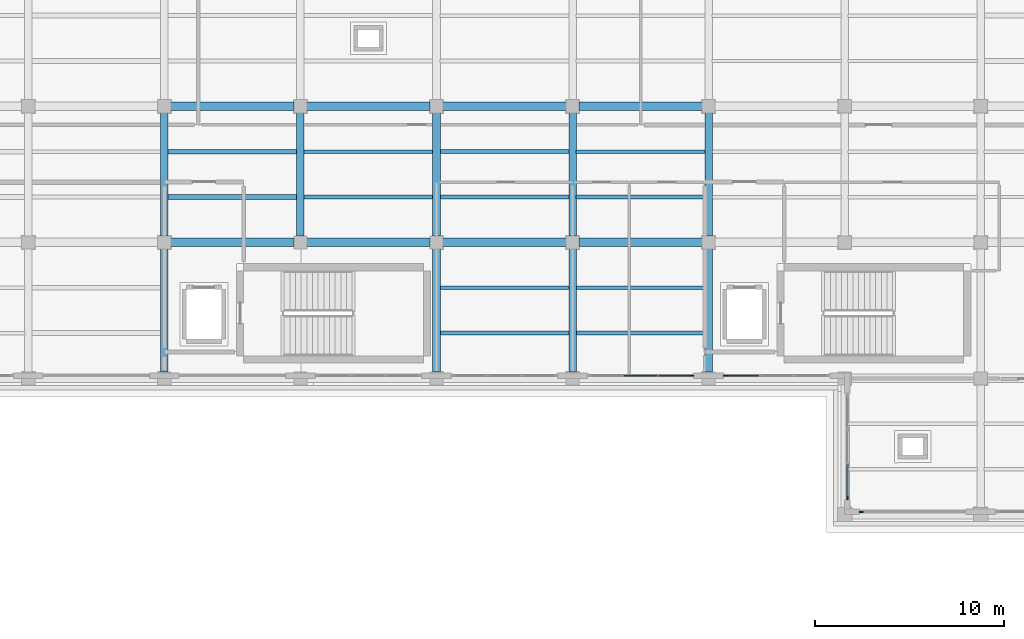
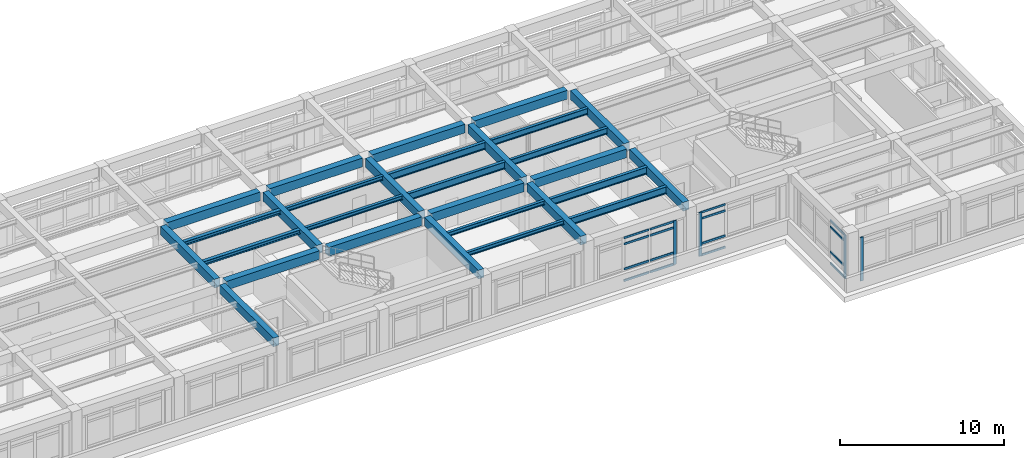
# One storey, part 25 of 64: 29 beams, 20 members, 4 elements without a shape of their own.
"""IFC4 building model written with IfcOpenShell, lengths in metres."""

from ifc_helpers import new_model, si_unit, direction, frame, origin, origin_2d, place, context, subcontext, project, spatial, rectangle, i_section, extrude, material, layer, layer_set, material_profile, profile_set, type_object, element, aggregate, save


model = new_model("IFC4")

# Units and contexts
model_context = context("Model", 3, precision=1e-05, world=origin(), true_north=direction((0.0, 1.0)))
body_context = subcontext(model_context, "Body", "Model", "MODEL_VIEW")
ifc_project = project(units=[si_unit("LENGTHUNIT", "METRE"), si_unit("AREAUNIT", "SQUARE_METRE"), si_unit("VOLUMEUNIT", "CUBIC_METRE"), si_unit("PLANEANGLEUNIT", "RADIAN"), si_unit("MASSUNIT", "GRAM", prefix="KILO")], contexts=[model_context])

# Site, building, storey
site_placement = place(None, origin())
site = spatial("IfcSite", under=ifc_project, at=site_placement, CompositionType="ELEMENT")
building_placement = place(site_placement, origin())
building = spatial("IfcBuilding", under=site, at=building_placement, Name="Solenvale Faculty of Natural Sciences", CompositionType="ELEMENT")
storey_placement = place(building_placement, frame((0.0, 0.0, 18.0)))
storey = spatial("IfcBuildingStorey", under=building, at=storey_placement, Name="L04", CompositionType="ELEMENT", Elevation=18.0)

# Beams
ifc_material_1 = material(Name="Concrete 40 MPa", Category="concrete")
ifc_material_profile_1 = material_profile(ifc_material_1, rectangle(XDim=0.39990234375, YDim=0.64990234375, at=origin_2d()), Name="RC-BM-400x650")
ifc_profile_set_1 = profile_set([ifc_material_profile_1], Name="Concrete 40 MPa")
beam_type_1 = type_object("IfcBeamType", Name="BM-RC-400x650", PredefinedType="BEAM", material=ifc_profile_set_1)
for number, where, z_axis, x_axis, name in (
    (1, (100.800048828125, 93.929931640625, 3.89501953125), (0.0, 1.0, 0.0), (-1.0, 0.0, 0.0), "L04 Y-Girder X100.8 (93.6..100.8)"),
    (2, (100.800048828125, 101.1298828125, 3.89501953125), (0.0, 1.0, 0.0), (-1.0, 0.0, 0.0), "L04 Y-Girder X100.8 (100.8..108.0)"),
    (3, (108.0, 101.1298828125, 3.89501953125), (0.0, 1.0, 0.0), (-1.0, 0.0, 0.0), "L04 Y-Girder X108.0 (100.8..108.0)"),
    (4, (115.199951171875, 93.929931640625, 3.89501953125), (0.0, 1.0, 0.0), (-1.0, 0.0, 0.0), "L04 Y-Girder X115.2 (93.6..100.8)"),
    (5, (115.199951171875, 101.1298828125, 3.89501953125), (0.0, 1.0, 0.0), (-1.0, 0.0, 0.0), "L04 Y-Girder X115.2 (100.8..108.0)"),
    (6, (122.39990234375, 93.929931640625, 3.89501953125), (0.0, 1.0, 0.0), (-1.0, 0.0, 0.0), "L04 Y-Girder X122.4 (93.6..100.8)"),
    (7, (122.39990234375, 101.1298828125, 3.89501953125), (0.0, 1.0, 0.0), (-1.0, 0.0, 0.0), "L04 Y-Girder X122.4 (100.8..108.0)"),
    (8, (129.60009765625, 93.929931640625, 3.89501953125), (0.0, 1.0, 0.0), (-1.0, 0.0, 0.0), "L04 Y-Girder X129.6 (93.6..100.8)"),
    (9, (129.60009765625, 101.1298828125, 3.89501953125), (0.0, 1.0, 0.0), (-1.0, 0.0, 0.0), "L04 Y-Girder X129.6 (100.8..108.0)"),
):
    element("IfcBeam", number, at=place(storey_placement, frame(where, z_axis=z_axis, x_axis=x_axis)), inside=storey, type_object=beam_type_1, Name=name, PredefinedType="BEAM", context=body_context, shape_type="SweptSolid", body=[
        extrude(rectangle(XDim=0.39990234375, YDim=0.64990234375, at=origin_2d()), origin(), (0.0, 0.0, 1.0), 6.5400390625),
    ])
ifc_material_profile_2 = material_profile(ifc_material_1, rectangle(XDim=0.449951171875, YDim=0.64990234375, at=origin_2d()), Name="RC-BM-450x650")
ifc_profile_set_2 = profile_set([ifc_material_profile_2], Name="Concrete 40 MPa")
beam_type_2 = type_object("IfcBeamType", Name="BM-RC-450x650", PredefinedType="BEAM", material=ifc_profile_set_2)
for number, where, z_axis, x_axis, name in (
    (10, (101.1298828125, 100.800048828125, 3.89501953125), (1.0, 0.0, 0.0), (0.0, 1.0, 0.0), "L04 X-Girder Y100.8 (100.8..108.0)"),
    (11, (108.330078125, 100.800048828125, 3.89501953125), (1.0, 0.0, 0.0), (0.0, 1.0, 0.0), "L04 X-Girder Y100.8 (108.0..115.2)"),
    (12, (115.530029296875, 100.800048828125, 3.89501953125), (1.0, 0.0, 0.0), (0.0, 1.0, 0.0), "L04 X-Girder Y100.8 (115.2..122.4)"),
    (13, (122.72998046875, 100.800048828125, 3.89501953125), (1.0, 0.0, 0.0), (0.0, 1.0, 0.0), "L04 X-Girder Y100.8 (122.4..129.6)"),
    (14, (101.1298828125, 108.0, 3.89501953125), (1.0, 0.0, 0.0), (0.0, 1.0, 0.0), "L04 X-Girder Y108.0 (100.8..108.0)"),
    (15, (108.330078125, 108.0, 3.89501953125), (1.0, 0.0, 0.0), (0.0, 1.0, 0.0), "L04 X-Girder Y108.0 (108.0..115.2)"),
    (16, (115.530029296875, 108.0, 3.89501953125), (1.0, 0.0, 0.0), (0.0, 1.0, 0.0), "L04 X-Girder Y108.0 (115.2..122.4)"),
    (17, (122.72998046875, 108.0, 3.89501953125), (1.0, 0.0, 0.0), (0.0, 1.0, 0.0), "L04 X-Girder Y108.0 (122.4..129.6)"),
):
    element("IfcBeam", number, at=place(storey_placement, frame(where, z_axis=z_axis, x_axis=x_axis)), inside=storey, type_object=beam_type_2, Name=name, PredefinedType="BEAM", context=body_context, shape_type="SweptSolid", body=[
        extrude(rectangle(XDim=0.449951171875, YDim=0.64990234375, at=origin_2d()), origin(), (0.0, 0.0, 1.0), 6.5400390625),
    ])
ifc_material_2 = material(Name="Steel S355", Category="steel")
ifc_material_profile_3 = material_profile(ifc_material_2, i_section(OverallWidth=0.202880859375, OverallDepth=0.302978515625, WebThickness=0.007568359375, FlangeThickness=0.01318359375, FilletRadius=0.014892578125, at=origin_2d()), Name="W310x60")
ifc_profile_set_3 = profile_set([ifc_material_profile_3], Name="Steel S355")
beam_type_3 = type_object("IfcBeamType", Name="BM-STL-W310x60", PredefinedType="JOIST", material=ifc_profile_set_3)
for number, where, z_axis, x_axis, name in (
    (18, (108.179931640625, 103.199951171875, 4.068603515625), (1.0, 0.0, 0.0), (0.0, 1.0, 0.0), "L04 Composite Floor Joist (16,15).1"),
    (19, (108.179931640625, 105.60009765625, 4.068603515625), (1.0, 0.0, 0.0), (0.0, 1.0, 0.0), "L04 Composite Floor Joist (16,15).2"),
    (20, (115.3798828125, 96.0, 4.068603515625), (1.0, 0.0, 0.0), (0.0, 1.0, 0.0), "L04 Composite Floor Joist (17,14).1"),
    (21, (115.3798828125, 98.39990234375, 4.068603515625), (1.0, 0.0, 0.0), (0.0, 1.0, 0.0), "L04 Composite Floor Joist (17,14).2"),
):
    element("IfcBeam", number, at=place(storey_placement, frame(where, z_axis=z_axis, x_axis=x_axis)), inside=storey, type_object=beam_type_3, Name=name, PredefinedType="JOIST", context=body_context, shape_type="SweptSolid", body=[
        extrude(i_section(OverallWidth=0.202880859375, OverallDepth=0.302978515625, WebThickness=0.007568359375, FlangeThickness=0.01318359375, FilletRadius=0.014892578125, at=origin_2d()), origin(), (0.0, 0.0, 1.0), 6.840087890625),
    ])
ifc_material_profile_4 = material_profile(ifc_material_2, i_section(OverallWidth=0.25390625, OverallDepth=0.305908203125, WebThickness=0.0087890625, FlangeThickness=0.0146484375, FilletRadius=0.014892578125, at=origin_2d()), Name="W310x79")
ifc_profile_set_4 = profile_set([ifc_material_profile_4], Name="Steel S355")
beam_type_4 = type_object("IfcBeamType", Name="BM-STL-W310x79", PredefinedType="JOIST", material=ifc_profile_set_4)
for number, where, z_axis, x_axis, name in (
    (22, (100.97998046875, 103.199951171875, 4.06689453125), (1.0, 0.0, 0.0), (0.0, 1.0, 0.0), "L04 Composite Floor Joist (15,15).1"),
    (23, (100.97998046875, 105.60009765625, 4.06689453125), (1.0, 0.0, 0.0), (0.0, 1.0, 0.0), "L04 Composite Floor Joist (15,15).2"),
):
    element("IfcBeam", number, at=place(storey_placement, frame(where, z_axis=z_axis, x_axis=x_axis)), inside=storey, type_object=beam_type_4, Name=name, PredefinedType="JOIST", context=body_context, shape_type="SweptSolid", body=[
        extrude(i_section(OverallWidth=0.25390625, OverallDepth=0.305908203125, WebThickness=0.0087890625, FlangeThickness=0.0146484375, FilletRadius=0.014892578125, at=origin_2d()), origin(), (0.0, 0.0, 1.0), 6.840087890625),
    ])
ifc_material_profile_5 = material_profile(ifc_material_2, i_section(OverallWidth=0.194091796875, OverallDepth=0.468994140625, WebThickness=0.0126953125, FlangeThickness=0.0205078125, FilletRadius=0.01806640625, at=origin_2d()), Name="W460x106")
ifc_profile_set_5 = profile_set([ifc_material_profile_5], Name="Steel S355")
beam_type_5 = type_object("IfcBeamType", Name="BM-STL-W460x106", PredefinedType="JOIST", material=ifc_profile_set_5)
for number, where, z_axis, x_axis, name in (
    (24, (122.580078125, 103.199951171875, 3.985595703125), (1.0, 0.0, 0.0), (0.0, 1.0, 0.0), "L04 Composite Floor Joist (18,15).1"),
    (25, (122.580078125, 105.60009765625, 3.985595703125), (1.0, 0.0, 0.0), (0.0, 1.0, 0.0), "L04 Composite Floor Joist (18,15).2"),
):
    element("IfcBeam", number, at=place(storey_placement, frame(where, z_axis=z_axis, x_axis=x_axis)), inside=storey, type_object=beam_type_5, Name=name, PredefinedType="JOIST", context=body_context, shape_type="SweptSolid", body=[
        extrude(i_section(OverallWidth=0.194091796875, OverallDepth=0.468994140625, WebThickness=0.0126953125, FlangeThickness=0.0205078125, FilletRadius=0.01806640625, at=origin_2d()), origin(), (0.0, 0.0, 1.0), 6.83984375),
    ])
ifc_material_profile_6 = material_profile(ifc_material_2, i_section(OverallWidth=0.208984375, OverallDepth=0.532958984375, WebThickness=0.01025390625, FlangeThickness=0.015625, FilletRadius=0.01904296875, at=origin_2d()), Name="W530x92")
ifc_profile_set_6 = profile_set([ifc_material_profile_6], Name="Steel S355")
beam_type_6 = type_object("IfcBeamType", Name="BM-STL-W530x92", PredefinedType="JOIST", material=ifc_profile_set_6)
for number, where, z_axis, x_axis, name in (
    (26, (115.3798828125, 103.199951171875, 3.95361328125), (1.0, 0.0, 0.0), (0.0, 1.0, 0.0), "L04 Composite Floor Joist (17,15).1"),
    (27, (115.3798828125, 105.60009765625, 3.95361328125), (1.0, 0.0, 0.0), (0.0, 1.0, 0.0), "L04 Composite Floor Joist (17,15).2"),
):
    element("IfcBeam", number, at=place(storey_placement, frame(where, z_axis=z_axis, x_axis=x_axis)), inside=storey, type_object=beam_type_6, Name=name, PredefinedType="JOIST", context=body_context, shape_type="SweptSolid", body=[
        extrude(i_section(OverallWidth=0.208984375, OverallDepth=0.532958984375, WebThickness=0.01025390625, FlangeThickness=0.015625, FilletRadius=0.01904296875, at=origin_2d()), origin(), (0.0, 0.0, 1.0), 6.840087890625),
    ])
for number, where, z_axis, x_axis, name in (
    (28, (122.580078125, 96.0, 3.95361328125), (1.0, 0.0, 0.0), (0.0, 1.0, 0.0), "L04 Composite Floor Joist (18,14).1"),
    (29, (122.580078125, 98.39990234375, 3.95361328125), (1.0, 0.0, 0.0), (0.0, 1.0, 0.0), "L04 Composite Floor Joist (18,14).2"),
):
    element("IfcBeam", number, at=place(storey_placement, frame(where, z_axis=z_axis, x_axis=x_axis)), inside=storey, type_object=beam_type_6, Name=name, PredefinedType="JOIST", context=body_context, shape_type="SweptSolid", body=[
        extrude(i_section(OverallWidth=0.208984375, OverallDepth=0.532958984375, WebThickness=0.01025390625, FlangeThickness=0.015625, FilletRadius=0.01904296875, at=origin_2d()), origin(), (0.0, 0.0, 1.0), 6.83984375),
    ])

# Curtain wall, member
ifc_material_3 = material(Name="Anodised bronze aluminium", Category="aluminium")
ifc_layer = layer(ifc_material_3, 0.179931640625)
ifc_layer_set = layer_set([ifc_layer], Name="Anodised bronze aluminium")
curtain_wall_type = type_object("IfcCurtainWallType", Name="CW-TWR-MOD", PredefinedType="USERDEFINED", material=ifc_layer_set)
curtain_wall_1_placement = place(storey_placement, origin())
curtain_wall_1 = element("IfcCurtainWall", 30, at=curtain_wall_1_placement, inside=storey, type_object=curtain_wall_type, Name="L04 Curtain Wall CW-L04-P3-E1-B1", ObjectType="UNITISED CURTAIN WALL", PredefinedType="USERDEFINED")
ifc_material_profile_7 = material_profile(ifc_material_3, rectangle(XDim=0.074951171875, YDim=0.2099609375, at=origin_2d()), Name="ALU-MUL-75x210")
ifc_profile_set_7 = profile_set([ifc_material_profile_7], Name="Anodised bronze aluminium")
member_type_1 = type_object("IfcMemberType", Name="CWM-ALU-75x210", PredefinedType="MULLION", material=ifc_profile_set_7)
member_1_placement = place(storey_placement, frame((137.6875, 86.54248046875, 0.0), z_axis=(0.0, 0.0, 1.0), x_axis=(0.0, 1.0, 0.0)))
member_1 = element("IfcMember", 31, at=member_1_placement, type_object=member_type_1, Name="CW-04 mullion 1", PredefinedType="MULLION", context=body_context, shape_type="SweptSolid", body=[
    extrude(rectangle(XDim=0.074951171875, YDim=0.2099609375, at=origin_2d()), origin(), (0.0, 0.0, 1.0), 3.260009765625),
])
aggregate(curtain_wall_1, [member_1])

curtain_wall_2_placement = place(storey_placement, origin())
curtain_wall_2 = element("IfcCurtainWall", 32, at=curtain_wall_2_placement, inside=storey, type_object=curtain_wall_type, Name="L04 Curtain Wall CW-L04-P3-E6-B7", ObjectType="UNITISED CURTAIN WALL", PredefinedType="USERDEFINED")
member_2_placement = place(storey_placement, frame((128.71240234375, 93.742431640625, 0.0), z_axis=(0.0, 0.0, 1.0), x_axis=(0.0, 1.0, 0.0)))
member_2 = element("IfcMember", 33, at=member_2_placement, type_object=member_type_1, Name="CW-04 mullion 4", PredefinedType="MULLION", context=body_context, shape_type="SweptSolid", body=[
    extrude(rectangle(XDim=0.074951171875, YDim=0.2099609375, at=origin_2d()), origin(), (0.0, 0.0, 1.0), 3.260009765625),
])

curtain_wall_3_placement = place(storey_placement, origin())
curtain_wall_3 = element("IfcCurtainWall", 34, at=curtain_wall_3_placement, inside=storey, type_object=curtain_wall_type, Name="L04 Curtain Wall CW-L04-P3-E6-B8", ObjectType="UNITISED CURTAIN WALL", PredefinedType="USERDEFINED")
member_3_placement = place(storey_placement, frame((130.487548828125, 93.742431640625, 0.0), z_axis=(0.0, 0.0, 1.0), x_axis=(0.0, 1.0, 0.0)))
member_3 = element("IfcMember", 35, at=member_3_placement, type_object=member_type_1, Name="CW-04 mullion 1", PredefinedType="MULLION", context=body_context, shape_type="SweptSolid", body=[
    extrude(rectangle(XDim=0.074951171875, YDim=0.2099609375, at=origin_2d()), origin(), (0.0, 0.0, 1.0), 3.260009765625),
])

curtain_wall_4_placement = place(storey_placement, origin())
curtain_wall_4 = element("IfcCurtainWall", 36, at=curtain_wall_4_placement, inside=storey, type_object=curtain_wall_type, Name="L04 Curtain Wall CW-L04-P3-E7-B1", ObjectType="UNITISED CURTAIN WALL", PredefinedType="USERDEFINED")
member_4_placement = place(storey_placement, frame((136.9423828125, 87.28759765625, 0.0), z_axis=(0.0, 0.0, 1.0), x_axis=(1.0, 0.0, 0.0)))
member_4 = element("IfcMember", 37, at=member_4_placement, type_object=member_type_1, Name="CW-04 mullion 4", PredefinedType="MULLION", context=body_context, shape_type="SweptSolid", body=[
    extrude(rectangle(XDim=0.074951171875, YDim=0.2099609375, at=origin_2d()), origin(), (0.0, 0.0, 1.0), 3.260009765625),
])

# Member
ifc_material_profile_8 = material_profile(ifc_material_3, rectangle(XDim=0.074951171875, YDim=0.155029296875, at=origin_2d()), Name="ALU-TRN-75x155")
ifc_profile_set_8 = profile_set([ifc_material_profile_8], Name="Anodised bronze aluminium")
member_type_2 = type_object("IfcMemberType", Name="CWT-ALU-75x155", PredefinedType="USERDEFINED", material=ifc_profile_set_8)
member_5_placement = place(storey_placement, frame((125.120849609375, 93.742431640625, 0.03759765625), z_axis=(1.0, 0.0, 0.0), x_axis=(0.0, 1.0, 0.0)))
member_5 = element("IfcMember", 38, at=member_5_placement, type_object=member_type_2, Name="CW-04 transom 2.1", ObjectType="TRANSOM", PredefinedType="USERDEFINED", context=body_context, shape_type="SweptSolid", body=[
    extrude(rectangle(XDim=0.074951171875, YDim=0.155029296875, at=origin_2d()), origin(), (0.0, 0.0, 1.0), 1.75830078125),
])

member_6_placement = place(storey_placement, frame((125.120849609375, 93.742431640625, 0.89990234375), z_axis=(1.0, 0.0, 0.0), x_axis=(0.0, 1.0, 0.0)))
member_6 = element("IfcMember", 39, at=member_6_placement, type_object=member_type_2, Name="CW-04 transom 2.2", ObjectType="TRANSOM", PredefinedType="USERDEFINED", context=body_context, shape_type="SweptSolid", body=[
    extrude(rectangle(XDim=0.074951171875, YDim=0.155029296875, at=origin_2d()), origin(), (0.0, 0.0, 1.0), 1.75830078125),
])

member_7_placement = place(storey_placement, frame((125.120849609375, 93.742431640625, 2.760009765625), z_axis=(1.0, 0.0, 0.0), x_axis=(0.0, 1.0, 0.0)))
member_7 = element("IfcMember", 40, at=member_7_placement, type_object=member_type_2, Name="CW-04 transom 2.3", ObjectType="TRANSOM", PredefinedType="USERDEFINED", context=body_context, shape_type="SweptSolid", body=[
    extrude(rectangle(XDim=0.074951171875, YDim=0.155029296875, at=origin_2d()), origin(), (0.0, 0.0, 1.0), 1.75830078125),
])

member_8_placement = place(storey_placement, frame((125.120849609375, 93.742431640625, 3.222412109375), z_axis=(1.0, 0.0, 0.0), x_axis=(0.0, 1.0, 0.0)))
member_8 = element("IfcMember", 41, at=member_8_placement, type_object=member_type_2, Name="CW-04 transom 2.4", ObjectType="TRANSOM", PredefinedType="USERDEFINED", context=body_context, shape_type="SweptSolid", body=[
    extrude(rectangle(XDim=0.074951171875, YDim=0.155029296875, at=origin_2d()), origin(), (0.0, 0.0, 1.0), 1.75830078125),
])

member_9_placement = place(storey_placement, frame((126.9541015625, 93.742431640625, 0.03759765625), z_axis=(1.0, 0.0, 0.0), x_axis=(0.0, 1.0, 0.0)))
member_9 = element("IfcMember", 42, at=member_9_placement, type_object=member_type_2, Name="CW-04 transom 3.1", ObjectType="TRANSOM", PredefinedType="USERDEFINED", context=body_context, shape_type="SweptSolid", body=[
    extrude(rectangle(XDim=0.074951171875, YDim=0.155029296875, at=origin_2d()), origin(), (0.0, 0.0, 1.0), 1.720947265625),
])

member_10_placement = place(storey_placement, frame((126.9541015625, 93.742431640625, 0.89990234375), z_axis=(1.0, 0.0, 0.0), x_axis=(0.0, 1.0, 0.0)))
member_10 = element("IfcMember", 43, at=member_10_placement, type_object=member_type_2, Name="CW-04 transom 3.2", ObjectType="TRANSOM", PredefinedType="USERDEFINED", context=body_context, shape_type="SweptSolid", body=[
    extrude(rectangle(XDim=0.074951171875, YDim=0.155029296875, at=origin_2d()), origin(), (0.0, 0.0, 1.0), 1.720947265625),
])

member_11_placement = place(storey_placement, frame((126.9541015625, 93.742431640625, 2.760009765625), z_axis=(1.0, 0.0, 0.0), x_axis=(0.0, 1.0, 0.0)))
member_11 = element("IfcMember", 44, at=member_11_placement, type_object=member_type_2, Name="CW-04 transom 3.3", ObjectType="TRANSOM", PredefinedType="USERDEFINED", context=body_context, shape_type="SweptSolid", body=[
    extrude(rectangle(XDim=0.074951171875, YDim=0.155029296875, at=origin_2d()), origin(), (0.0, 0.0, 1.0), 1.720947265625),
])

member_12_placement = place(storey_placement, frame((126.9541015625, 93.742431640625, 3.222412109375), z_axis=(1.0, 0.0, 0.0), x_axis=(0.0, 1.0, 0.0)))
member_12 = element("IfcMember", 45, at=member_12_placement, type_object=member_type_2, Name="CW-04 transom 3.4", ObjectType="TRANSOM", PredefinedType="USERDEFINED", context=body_context, shape_type="SweptSolid", body=[
    extrude(rectangle(XDim=0.074951171875, YDim=0.155029296875, at=origin_2d()), origin(), (0.0, 0.0, 1.0), 1.720947265625),
])

aggregate(curtain_wall_2, [member_2, member_5, member_6, member_7, member_8, member_9, member_10, member_11, member_12])

member_13_placement = place(storey_placement, frame((130.52490234375, 93.742431640625, 0.03759765625), z_axis=(1.0, 0.0, 0.0), x_axis=(0.0, 1.0, 0.0)))
member_13 = element("IfcMember", 46, at=member_13_placement, type_object=member_type_2, Name="CW-04 transom 1.1", ObjectType="TRANSOM", PredefinedType="USERDEFINED", context=body_context, shape_type="SweptSolid", body=[
    extrude(rectangle(XDim=0.074951171875, YDim=0.155029296875, at=origin_2d()), origin(), (0.0, 0.0, 1.0), 1.720947265625),
])

member_14_placement = place(storey_placement, frame((130.52490234375, 93.742431640625, 0.89990234375), z_axis=(1.0, 0.0, 0.0), x_axis=(0.0, 1.0, 0.0)))
member_14 = element("IfcMember", 47, at=member_14_placement, type_object=member_type_2, Name="CW-04 transom 1.2", ObjectType="TRANSOM", PredefinedType="USERDEFINED", context=body_context, shape_type="SweptSolid", body=[
    extrude(rectangle(XDim=0.074951171875, YDim=0.155029296875, at=origin_2d()), origin(), (0.0, 0.0, 1.0), 1.720947265625),
])

member_15_placement = place(storey_placement, frame((130.52490234375, 93.742431640625, 2.760009765625), z_axis=(1.0, 0.0, 0.0), x_axis=(0.0, 1.0, 0.0)))
member_15 = element("IfcMember", 48, at=member_15_placement, type_object=member_type_2, Name="CW-04 transom 1.3", ObjectType="TRANSOM", PredefinedType="USERDEFINED", context=body_context, shape_type="SweptSolid", body=[
    extrude(rectangle(XDim=0.074951171875, YDim=0.155029296875, at=origin_2d()), origin(), (0.0, 0.0, 1.0), 1.720947265625),
])

member_16_placement = place(storey_placement, frame((130.52490234375, 93.742431640625, 3.222412109375), z_axis=(1.0, 0.0, 0.0), x_axis=(0.0, 1.0, 0.0)))
member_16 = element("IfcMember", 49, at=member_16_placement, type_object=member_type_2, Name="CW-04 transom 1.4", ObjectType="TRANSOM", PredefinedType="USERDEFINED", context=body_context, shape_type="SweptSolid", body=[
    extrude(rectangle(XDim=0.074951171875, YDim=0.155029296875, at=origin_2d()), origin(), (0.0, 0.0, 1.0), 1.720947265625),
])

aggregate(curtain_wall_3, [member_3, member_13, member_14, member_15, member_16])

member_17_placement = place(storey_placement, frame((136.9423828125, 89.0458984375, 0.03759765625), z_axis=(0.0, -1.0, 0.0), x_axis=(1.0, 0.0, 0.0)))
member_17 = element("IfcMember", 50, at=member_17_placement, type_object=member_type_2, Name="CW-04 transom 3.1", ObjectType="TRANSOM", PredefinedType="USERDEFINED", context=body_context, shape_type="SweptSolid", body=[
    extrude(rectangle(XDim=0.074951171875, YDim=0.155029296875, at=origin_2d()), origin(), (0.0, 0.0, 1.0), 1.720947265625),
])

member_18_placement = place(storey_placement, frame((136.9423828125, 89.0458984375, 0.89990234375), z_axis=(0.0, -1.0, 0.0), x_axis=(1.0, 0.0, 0.0)))
member_18 = element("IfcMember", 51, at=member_18_placement, type_object=member_type_2, Name="CW-04 transom 3.2", ObjectType="TRANSOM", PredefinedType="USERDEFINED", context=body_context, shape_type="SweptSolid", body=[
    extrude(rectangle(XDim=0.074951171875, YDim=0.155029296875, at=origin_2d()), origin(), (0.0, 0.0, 1.0), 1.720947265625),
])

member_19_placement = place(storey_placement, frame((136.9423828125, 89.0458984375, 2.760009765625), z_axis=(0.0, -1.0, 0.0), x_axis=(1.0, 0.0, 0.0)))
member_19 = element("IfcMember", 52, at=member_19_placement, type_object=member_type_2, Name="CW-04 transom 3.3", ObjectType="TRANSOM", PredefinedType="USERDEFINED", context=body_context, shape_type="SweptSolid", body=[
    extrude(rectangle(XDim=0.074951171875, YDim=0.155029296875, at=origin_2d()), origin(), (0.0, 0.0, 1.0), 1.720947265625),
])

member_20_placement = place(storey_placement, frame((136.9423828125, 89.0458984375, 3.222412109375), z_axis=(0.0, -1.0, 0.0), x_axis=(1.0, 0.0, 0.0)))
member_20 = element("IfcMember", 53, at=member_20_placement, type_object=member_type_2, Name="CW-04 transom 3.4", ObjectType="TRANSOM", PredefinedType="USERDEFINED", context=body_context, shape_type="SweptSolid", body=[
    extrude(rectangle(XDim=0.074951171875, YDim=0.155029296875, at=origin_2d()), origin(), (0.0, 0.0, 1.0), 1.720947265625),
])

aggregate(curtain_wall_4, [member_4, member_17, member_18, member_19, member_20])

save(model, "model.ifc")
